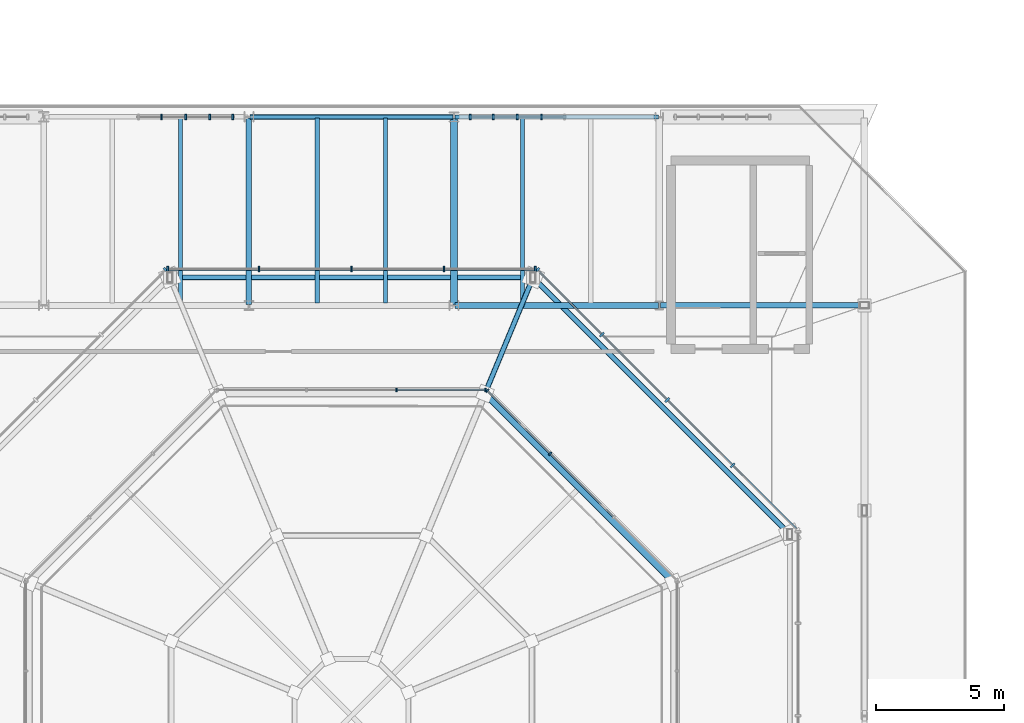
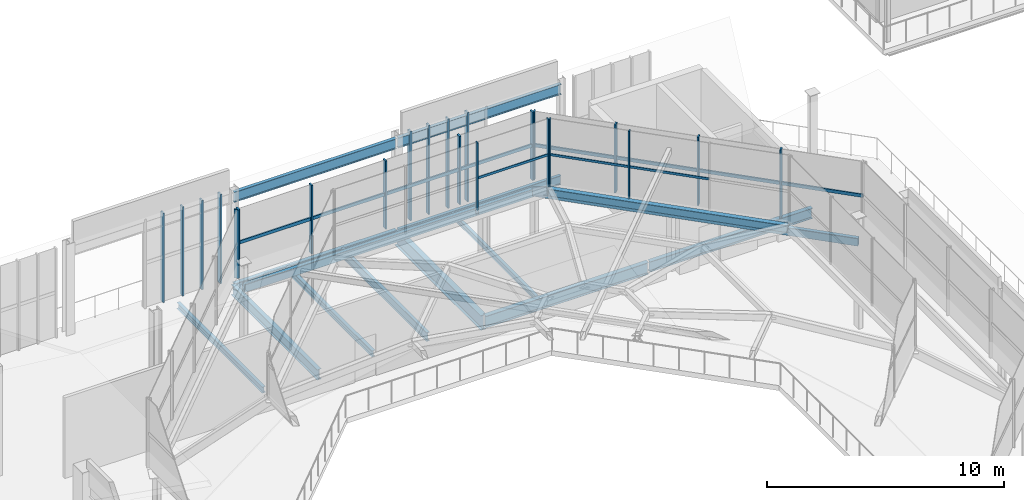
# One storey, part 14 of 30: 33 members, 16 beams, 7 elements without a shape of their own.
"""IFC4 building model written with IfcOpenShell, lengths in metres."""

from ifc_helpers import new_model, si_unit, direction, frame, origin, origin_2d, place, context, subcontext, project, spatial, rectangle, hollow_rectangle, i_section, extrude, material, material_profile, profile_set, type_object, element, aggregate, save


model = new_model("IFC4")

# Units and contexts
model_context = context("Model", 3, precision=1e-05, world=origin(), true_north=direction((0.0, 1.0)))
body_context = subcontext(model_context, "Body", "Model", "MODEL_VIEW")
ifc_project = project(units=[si_unit("LENGTHUNIT", "METRE"), si_unit("AREAUNIT", "SQUARE_METRE"), si_unit("VOLUMEUNIT", "CUBIC_METRE"), si_unit("PLANEANGLEUNIT", "RADIAN"), si_unit("MASSUNIT", "GRAM", prefix="KILO")], contexts=[model_context])

# Site, building, storey
site_placement = place(None, origin())
site = spatial("IfcSite", under=ifc_project, at=site_placement, CompositionType="ELEMENT")
building_placement = place(site_placement, origin())
building = spatial("IfcBuilding", under=site, at=building_placement, Name="Brisemont Oceanarium", CompositionType="ELEMENT")
storey_placement = place(building_placement, frame((0.0, 0.0, 19.800048828125)))
storey = spatial("IfcBuildingStorey", under=building, at=storey_placement, Name="L04", CompositionType="ELEMENT", Elevation=19.800048828125)

# Beams
ifc_material_1 = material(Name="Structural Steel ASTM A500 Gr.C", Category="steel")
ifc_material_profile_1 = material_profile(ifc_material_1, hollow_rectangle(XDim=0.25390625, YDim=0.35595703125, WallThickness=0.01171875, InnerFilletRadius=0.01220703125, OuterFilletRadius=0.02392578125, at=origin_2d()), Name="HSS14X10X1/2")
ifc_profile_set_1 = profile_set([ifc_material_profile_1], Name="Structural Steel ASTM A500 Gr.C")
beam_type_1 = type_object("IfcBeamType", Name="BM-HSS14X10", PredefinedType="BEAM", material=ifc_profile_set_1)
beam_1_placement = place(storey_placement, frame((96.564697265625, 61.20458984375, 7.800048828125), z_axis=(-0.707106781187, 0.707106781187, 0.0), x_axis=(-0.707106781187, -0.707106781187, 0.0)))
element("IfcBeam", 1, at=beam_1_placement, inside=storey, type_object=beam_type_1, Name="V1 dome ring 2 chord 1", PredefinedType="BEAM", context=body_context, shape_type="SweptSolid", body=[
    extrude(hollow_rectangle(XDim=0.25390625, YDim=0.35595703125, WallThickness=0.01171875, InnerFilletRadius=0.01220703125, OuterFilletRadius=0.02392578125, at=origin_2d()), origin(), (0.0, 0.0, 1.0), 10.40869140625),
])
ifc_material_2 = material(Name="Structural Steel ASTM A500 Gr.C", Category="steel")
ifc_material_profile_2 = material_profile(ifc_material_2, hollow_rectangle(XDim=0.202880859375, YDim=0.406005859375, WallThickness=0.01171875, InnerFilletRadius=0.01220703125, OuterFilletRadius=0.02392578125, at=origin_2d()), Name="HSS16X8X1/2")
ifc_profile_set_2 = profile_set([ifc_material_profile_2], Name="Structural Steel ASTM A500 Gr.C")
beam_type_2 = type_object("IfcBeamType", Name="BM-HSS16X8", PredefinedType="BEAM", material=ifc_profile_set_2)
beam_2_placement = place(storey_placement, frame((101.091796875, 63.07958984375, 4.3798828125), z_axis=(-0.707106781187, 0.707106781187, 0.0), x_axis=(-0.707106781187, -0.707106781187, 0.0)))
element("IfcBeam", 2, at=beam_2_placement, inside=storey, type_object=beam_type_2, Name="V1 dome ring 1 chord 1", PredefinedType="BEAM", context=body_context, shape_type="SweptSolid", body=[
    extrude(hollow_rectangle(XDim=0.202880859375, YDim=0.406005859375, WallThickness=0.01171875, InnerFilletRadius=0.01220703125, OuterFilletRadius=0.02392578125, at=origin_2d()), origin(), (0.0, 0.0, 1.0), 14.159423828125),
])
beam_3_placement = place(storey_placement, frame((91.07958984375, 73.091796875, 4.3798828125), z_axis=(-1.0, 0.0, 0.0), x_axis=(0.0, -1.0, 0.0)))
element("IfcBeam", 3, at=beam_3_placement, inside=storey, type_object=beam_type_2, Name="V1 dome ring 1 chord 2", PredefinedType="BEAM", context=body_context, shape_type="SweptSolid", body=[
    extrude(hollow_rectangle(XDim=0.202880859375, YDim=0.406005859375, WallThickness=0.01171875, InnerFilletRadius=0.01220703125, OuterFilletRadius=0.02392578125, at=origin_2d()), origin(), (0.0, 0.0, 1.0), 14.1591796875),
])
beam_4_placement = place(storey_placement, frame((91.07958984375, 73.091796875, 4.3798828125), z_axis=(-0.313776039681, -0.757597539558, 0.572355278632), x_axis=(0.92389295654, -0.382651022285, 0.0)))
element("IfcBeam", 4, at=beam_4_placement, inside=storey, type_object=beam_type_2, Name="V1 dome meridian arch rib 1.2", PredefinedType="BEAM", context=body_context, shape_type="SweptSolid", body=[
    extrude(hollow_rectangle(XDim=0.202880859375, YDim=0.406005859375, WallThickness=0.01171875, InnerFilletRadius=0.01220703125, OuterFilletRadius=0.02392578125, at=origin_2d()), origin(), (0.0, 0.0, 1.0), 5.9755859375),
])
ifc_material_3 = material(Name="Structural Steel ASTM A992 Gr.50", Category="steel")
ifc_material_profile_3 = material_profile(ifc_material_3, i_section(OverallWidth=0.14599609375, OverallDepth=0.259033203125, WebThickness=0.006103515625, FlangeThickness=0.009033203125, FilletRadius=0.008056640625, at=origin_2d()), Name="W10X22")
ifc_profile_set_3 = profile_set([ifc_material_profile_3], Name="Structural Steel ASTM A992 Gr.50")
beam_type_3 = type_object("IfcBeamType", Name="BM-W10X22", PredefinedType="LINTEL", material=ifc_profile_set_3)
beam_5_placement = place(storey_placement, frame((90.666748046875, 72.090087890625, -0.3896484375), z_axis=(0.0, 1.0, 0.0), x_axis=(-1.0, 0.0, 0.0)))
element("IfcBeam", 5, at=beam_5_placement, inside=storey, type_object=beam_type_3, Name="V1 L04 secondary floor beam", PredefinedType="LINTEL", context=body_context, shape_type="SweptSolid", body=[
    extrude(i_section(OverallWidth=0.14599609375, OverallDepth=0.259033203125, WebThickness=0.006103515625, FlangeThickness=0.009033203125, FilletRadius=0.008056640625, at=origin_2d()), origin(), (0.0, 0.0, 1.0), 7.219970703125),
])
ifc_material_4 = material(Name="Structural Steel ASTM A992 Gr.50", Category="steel")
ifc_material_profile_4 = material_profile(ifc_material_4, i_section(OverallWidth=0.1650390625, OverallDepth=0.31005859375, WebThickness=0.005859375, FlangeThickness=0.009765625, FilletRadius=0.008056640625, at=origin_2d()), Name="W12X26")
ifc_profile_set_4 = profile_set([ifc_material_profile_4], Name="Structural Steel ASTM A992 Gr.50")
beam_type_4 = type_object("IfcBeamType", Name="BM-W12X26", PredefinedType="JOIST", material=ifc_profile_set_4)
for number, where, z_axis, x_axis, name in (
    (6, (77.333251953125, 72.090087890625, -0.4150390625), (0.0, 1.0, 0.0), (-1.0, 0.0, 0.0), "V1 L04 secondary floor beam"),
    (7, (82.666748046875, 72.090087890625, -0.4150390625), (0.0, 1.0, 0.0), (-1.0, 0.0, 0.0), "V1 L04 secondary floor beam"),
):
    element("IfcBeam", number, at=place(storey_placement, frame(where, z_axis=z_axis, x_axis=x_axis)), inside=storey, type_object=beam_type_4, Name=name, PredefinedType="JOIST", context=body_context, shape_type="SweptSolid", body=[
        extrude(i_section(OverallWidth=0.1650390625, OverallDepth=0.31005859375, WebThickness=0.005859375, FlangeThickness=0.009765625, FilletRadius=0.008056640625, at=origin_2d()), origin(), (0.0, 0.0, 1.0), 7.219970703125),
    ])
ifc_material_5 = material(Name="Structural Steel ASTM A992 Gr.50", Category="steel")
ifc_material_profile_5 = material_profile(ifc_material_5, i_section(OverallWidth=0.153076171875, OverallDepth=0.455078125, WebThickness=0.008056640625, FlangeThickness=0.01318359375, FilletRadius=0.010986328125, at=origin_2d()), Name="W18X40")
ifc_profile_set_5 = profile_set([ifc_material_profile_5], Name="Structural Steel ASTM A992 Gr.50")
beam_type_5 = type_object("IfcBeamType", Name="BM-W18X40", PredefinedType="JOIST", material=ifc_profile_set_5)
beam_6_placement = place(storey_placement, frame((85.333251953125, 72.090087890625, -0.487548828125), z_axis=(0.0, 1.0, 0.0), x_axis=(-1.0, 0.0, 0.0)))
element("IfcBeam", 8, at=beam_6_placement, inside=storey, type_object=beam_type_5, Name="V1 L04 secondary floor beam", PredefinedType="JOIST", context=body_context, shape_type="SweptSolid", body=[
    extrude(i_section(OverallWidth=0.153076171875, OverallDepth=0.455078125, WebThickness=0.008056640625, FlangeThickness=0.01318359375, FilletRadius=0.010986328125, at=origin_2d()), origin(), (0.0, 0.0, 1.0), 7.219970703125),
])
ifc_material_6 = material(Name="Structural Steel ASTM A992 Gr.50", Category="steel")
ifc_material_profile_6 = material_profile(ifc_material_6, i_section(OverallWidth=0.154052734375, OverallDepth=0.458984375, WebThickness=0.009033203125, FlangeThickness=0.015380859375, FilletRadius=0.010986328125, at=origin_2d()), Name="W18X46")
ifc_profile_set_6 = profile_set([ifc_material_profile_6], Name="Structural Steel ASTM A992 Gr.50")
beam_type_6 = type_object("IfcBeamType", Name="BM-W18X46", PredefinedType="SPANDREL", material=ifc_profile_set_6)
beam_7_placement = place(storey_placement, frame((88.0400390625, 79.35009765625, -0.489501953125), z_axis=(1.0, 0.0, 0.0), x_axis=(0.0, 1.0, 0.0)))
element("IfcBeam", 9, at=beam_7_placement, inside=storey, type_object=beam_type_6, Name="V1 L04 EW girder", PredefinedType="SPANDREL", context=body_context, shape_type="SweptSolid", body=[
    extrude(i_section(OverallWidth=0.154052734375, OverallDepth=0.458984375, WebThickness=0.009033203125, FlangeThickness=0.015380859375, FilletRadius=0.010986328125, at=origin_2d()), origin(), (0.0, 0.0, 1.0), 7.919921875),
])
ifc_material_7 = material(Name="Structural Steel ASTM A992 Gr.50", Category="steel")
ifc_material_profile_7 = material_profile(ifc_material_7, i_section(OverallWidth=0.19091796875, OverallDepth=0.4599609375, WebThickness=0.010009765625, FlangeThickness=0.01611328125, FilletRadius=0.010986328125, at=origin_2d()), Name="W18X55")
ifc_profile_set_7 = profile_set([ifc_material_profile_7], Name="Structural Steel ASTM A992 Gr.50")
beam_type_7 = type_object("IfcBeamType", Name="BM-W18X55", PredefinedType="SPANDREL", material=ifc_profile_set_7)
beam_8_placement = place(storey_placement, frame((80.0400390625, 79.35009765625, -0.489990234375), z_axis=(1.0, 0.0, 0.0), x_axis=(0.0, 1.0, 0.0)))
element("IfcBeam", 10, at=beam_8_placement, inside=storey, type_object=beam_type_7, Name="V1 L04 EW girder", PredefinedType="SPANDREL", context=body_context, shape_type="SweptSolid", body=[
    extrude(i_section(OverallWidth=0.19091796875, OverallDepth=0.4599609375, WebThickness=0.010009765625, FlangeThickness=0.01611328125, FilletRadius=0.010986328125, at=origin_2d()), origin(), (0.0, 0.0, 1.0), 7.919921875),
])
ifc_material_8 = material(Name="Structural Steel ASTM A992 Gr.50", Category="steel")
ifc_material_profile_8 = material_profile(ifc_material_8, i_section(OverallWidth=0.166015625, OverallDepth=0.528076171875, WebThickness=0.009765625, FlangeThickness=0.013671875, FilletRadius=0.012939453125, at=origin_2d()), Name="W21X50")
ifc_profile_set_8 = profile_set([ifc_material_profile_8], Name="Structural Steel ASTM A992 Gr.50")
beam_type_8 = type_object("IfcBeamType", Name="BM-W21X50", PredefinedType="SPANDREL", material=ifc_profile_set_8)
for number, where, z_axis, x_axis, name in (
    (11, (80.0400390625, 79.35009765625, 4.18603515625), (1.0, 0.0, 0.0), (0.0, 1.0, 0.0), "V1 L04 cornice parapet spandrel beam 5"),
    (12, (88.0400390625, 79.35009765625, 4.18603515625), (1.0, 0.0, 0.0), (0.0, 1.0, 0.0), "V1 L04 cornice parapet spandrel beam 6"),
):
    element("IfcBeam", number, at=place(storey_placement, frame(where, z_axis=z_axis, x_axis=x_axis)), inside=storey, type_object=beam_type_8, Name=name, PredefinedType="SPANDREL", context=body_context, shape_type="SweptSolid", body=[
        extrude(i_section(OverallWidth=0.166015625, OverallDepth=0.528076171875, WebThickness=0.009765625, FlangeThickness=0.013671875, FilletRadius=0.012939453125, at=origin_2d()), origin(), (0.0, 0.0, 1.0), 7.919921875),
    ])
ifc_material_9 = material(Name="Structural Steel ASTM A992 Gr.50", Category="steel")
ifc_material_profile_9 = material_profile(ifc_material_9, i_section(OverallWidth=0.2099609375, OverallDepth=0.532958984375, WebThickness=0.01025390625, FlangeThickness=0.015625, FilletRadius=0.012939453125, at=origin_2d()), Name="W21X62")
ifc_profile_set_9 = profile_set([ifc_material_profile_9], Name="Structural Steel ASTM A992 Gr.50")
beam_type_9 = type_object("IfcBeamType", Name="BM-W21X62", PredefinedType="BEAM", material=ifc_profile_set_9)
beam_9_placement = place(storey_placement, frame((96.0400390625, 72.0, -0.526611328125), z_axis=(1.0, 0.0, 0.0), x_axis=(0.0, 1.0, 0.0)))
element("IfcBeam", 13, at=beam_9_placement, inside=storey, type_object=beam_type_9, Name="V1 L04 EW girder", PredefinedType="BEAM", context=body_context, shape_type="SweptSolid", body=[
    extrude(i_section(OverallWidth=0.2099609375, OverallDepth=0.532958984375, WebThickness=0.01025390625, FlangeThickness=0.015625, FilletRadius=0.012939453125, at=origin_2d()), origin(), (0.0, 0.0, 1.0), 7.919921875),
])
beam_10_placement = place(storey_placement, frame((80.0, 72.0400390625, -0.526611328125), z_axis=(0.0, 1.0, 0.0), x_axis=(-1.0, 0.0, 0.0)))
element("IfcBeam", 14, at=beam_10_placement, inside=storey, type_object=beam_type_9, Name="V1 L04 NS girder", PredefinedType="BEAM", context=body_context, shape_type="SweptSolid", body=[
    extrude(i_section(OverallWidth=0.2099609375, OverallDepth=0.532958984375, WebThickness=0.01025390625, FlangeThickness=0.015625, FilletRadius=0.012939453125, at=origin_2d()), origin(), (0.0, 0.0, 1.0), 7.27001953125),
])
ifc_material_10 = material(Name="Structural Steel ASTM A992 Gr.50", Category="steel")
ifc_material_profile_10 = material_profile(ifc_material_10, i_section(OverallWidth=0.22802734375, OverallDepth=0.60205078125, WebThickness=0.010498046875, FlangeThickness=0.014892578125, FilletRadius=0.012939453125, at=origin_2d()), Name="W24X68")
ifc_profile_set_10 = profile_set([ifc_material_profile_10], Name="Structural Steel ASTM A992 Gr.50")
beam_type_10 = type_object("IfcBeamType", Name="BM-W24X68", PredefinedType="BEAM", material=ifc_profile_set_10)
beam_11_placement = place(storey_placement, frame((88.0400390625, 72.0, -0.56103515625), z_axis=(1.0, 0.0, 0.0), x_axis=(0.0, 1.0, 0.0)))
element("IfcBeam", 15, at=beam_11_placement, inside=storey, type_object=beam_type_10, Name="V1 L04 EW girder", PredefinedType="BEAM", context=body_context, shape_type="SweptSolid", body=[
    extrude(i_section(OverallWidth=0.22802734375, OverallDepth=0.60205078125, WebThickness=0.010498046875, FlangeThickness=0.014892578125, FilletRadius=0.012939453125, at=origin_2d()), origin(), (0.0, 0.0, 1.0), 7.919921875),
])
ifc_material_11 = material(Name="Structural Steel ASTM A992 Gr.50", Category="steel")
ifc_material_profile_11 = material_profile(ifc_material_11, i_section(OverallWidth=0.26708984375, OverallDepth=0.761962890625, WebThickness=0.014404296875, FlangeThickness=0.021484375, FilletRadius=0.01611328125, at=origin_2d()), Name="W30X116")
ifc_profile_set_11 = profile_set([ifc_material_profile_11], Name="Structural Steel ASTM A992 Gr.50")
beam_type_11 = type_object("IfcBeamType", Name="BM-W30X116", PredefinedType="BEAM", material=ifc_profile_set_11)
beam_12_placement = place(storey_placement, frame((88.0, 72.0400390625, -0.64111328125), z_axis=(0.0, 1.0, 0.0), x_axis=(-1.0, 0.0, 0.0)))
element("IfcBeam", 16, at=beam_12_placement, inside=storey, type_object=beam_type_11, Name="V1 L04 NS girder", PredefinedType="BEAM", context=body_context, shape_type="SweptSolid", body=[
    extrude(i_section(OverallWidth=0.26708984375, OverallDepth=0.761962890625, WebThickness=0.014404296875, FlangeThickness=0.021484375, FilletRadius=0.01611328125, at=origin_2d()), origin(), (0.0, 0.0, 1.0), 7.27001953125),
])

# Curtain wall, members
ifc_material_12 = material(Name="Anodized Extruded Aluminum 6063-T6", Category="aluminium")
curtain_wall_type_1 = type_object("IfcCurtainWallType", Name="CW-CLR-48X34", PredefinedType="NOTDEFINED", material=ifc_material_12)
curtain_wall_1_placement = place(storey_placement, origin())
curtain_wall_1 = element("IfcCurtainWall", 17, at=curtain_wall_1_placement, inside=storey, type_object=curtain_wall_type_1, Name="CW-22 curtain wall CW-DOME-UP-1", PredefinedType="NOTDEFINED")
ifc_material_13 = material(Name="Anodized Extruded Aluminum 6063-T6", Category="aluminium")
ifc_material_profile_12 = material_profile(ifc_material_13, rectangle(XDim=0.06005859375, YDim=0.14990234375, at=origin_2d()), Name="CWM-60X150")
ifc_profile_set_12 = profile_set([ifc_material_profile_12], Name="Anodized Extruded Aluminum 6063-T6")
member_type_1 = type_object("IfcMemberType", Name="MEM-CWM-60", PredefinedType="MULLION", material=ifc_profile_set_12)
member_1_placement = place(storey_placement, frame((91.742431640625, 66.222900390625, 7.75), z_axis=(0.0, 0.0, 1.0), x_axis=(-0.707106781187, 0.707106781187, 0.0)))
member_1 = element("IfcMember", 18, at=member_1_placement, type_object=member_type_1, Name="CW-DOME-UP-1 mullion 3", PredefinedType="MULLION", context=body_context, shape_type="SweptSolid", body=[
    extrude(rectangle(XDim=0.06005859375, YDim=0.14990234375, at=origin_2d()), origin(), (0.0, 0.0, 1.0), 3.699951171875),
])
member_2_placement = place(storey_placement, frame((89.293701171875, 68.67138671875, 7.75), z_axis=(0.0, 0.0, 1.0), x_axis=(-0.707106781187, 0.707106781187, 0.0)))
member_2 = element("IfcMember", 19, at=member_2_placement, type_object=member_type_1, Name="CW-DOME-UP-1 mullion 4", PredefinedType="MULLION", context=body_context, shape_type="SweptSolid", body=[
    extrude(rectangle(XDim=0.06005859375, YDim=0.14990234375, at=origin_2d()), origin(), (0.0, 0.0, 1.0), 3.699951171875),
])

curtain_wall_2_placement = place(storey_placement, origin())
curtain_wall_2 = element("IfcCurtainWall", 20, at=curtain_wall_2_placement, inside=storey, type_object=curtain_wall_type_1, Name="CW-22 curtain wall CW-DOME-UP-2", PredefinedType="NOTDEFINED")
member_3_placement = place(storey_placement, frame((89.216796875, 68.703369140625, 7.75), z_axis=(0.0, 0.0, 1.0), x_axis=(-1.0, 0.0, 0.0)))
member_3 = element("IfcMember", 21, at=member_3_placement, type_object=member_type_1, Name="CW-DOME-UP-2 mullion 1", PredefinedType="MULLION", context=body_context, shape_type="SweptSolid", body=[
    extrude(rectangle(XDim=0.06005859375, YDim=0.14990234375, at=origin_2d()), origin(), (0.0, 0.0, 1.0), 3.699951171875),
])
member_4_placement = place(storey_placement, frame((85.75390625, 68.703369140625, 7.75), z_axis=(0.0, 0.0, 1.0), x_axis=(-1.0, 0.0, 0.0)))
member_4 = element("IfcMember", 22, at=member_4_placement, type_object=member_type_1, Name="CW-DOME-UP-2 mullion 2", PredefinedType="MULLION", context=body_context, shape_type="SweptSolid", body=[
    extrude(rectangle(XDim=0.06005859375, YDim=0.14990234375, at=origin_2d()), origin(), (0.0, 0.0, 1.0), 3.699951171875),
])

ifc_material_14 = material(Name="Anodized Extruded Aluminum 6063-T6", Category="aluminium")
curtain_wall_type_2 = type_object("IfcCurtainWallType", Name="CW-ROT-69X44", PredefinedType="NOTDEFINED", material=ifc_material_14)
curtain_wall_3_placement = place(storey_placement, origin())
curtain_wall_3 = element("IfcCurtainWall", 23, at=curtain_wall_3_placement, inside=storey, type_object=curtain_wall_type_2, Name="CW-03 curtain wall CW-V1-N-L04-02", PredefinedType="NOTDEFINED")
ifc_material_15 = material(Name="Anodized Extruded Aluminum 6063-T6", Category="aluminium")
ifc_material_profile_13 = material_profile(ifc_material_15, rectangle(XDim=0.074951171875, YDim=0.219970703125, at=origin_2d()), Name="CWM-75X220")
ifc_profile_set_13 = profile_set([ifc_material_profile_13], Name="Anodized Extruded Aluminum 6063-T6")
member_type_2 = type_object("IfcMemberType", Name="MEM-CWM-75", PredefinedType="MULLION", material=ifc_profile_set_13)
member_5_placement = place(storey_placement, frame((76.592529296875, 79.35009765625, 0.0), z_axis=(0.0, 0.0, 1.0), x_axis=(1.0, 0.0, 0.0)))
member_5 = element("IfcMember", 24, at=member_5_placement, type_object=member_type_2, Name="CW-V1-N-L04-02 mullion 2", PredefinedType="MULLION", context=body_context, shape_type="SweptSolid", body=[
    extrude(rectangle(XDim=0.074951171875, YDim=0.219970703125, at=origin_2d()), origin(), (0.0, 0.0, 1.0), 4.599853515625),
])
member_6_placement = place(storey_placement, frame((77.534912109375, 79.35009765625, 0.0), z_axis=(0.0, 0.0, 1.0), x_axis=(1.0, 0.0, 0.0)))
member_6 = element("IfcMember", 25, at=member_6_placement, type_object=member_type_2, Name="CW-V1-N-L04-02 mullion 3", PredefinedType="MULLION", context=body_context, shape_type="SweptSolid", body=[
    extrude(rectangle(XDim=0.074951171875, YDim=0.219970703125, at=origin_2d()), origin(), (0.0, 0.0, 1.0), 4.599853515625),
])
member_7_placement = place(storey_placement, frame((78.4775390625, 79.35009765625, 0.0), z_axis=(0.0, 0.0, 1.0), x_axis=(1.0, 0.0, 0.0)))
member_7 = element("IfcMember", 26, at=member_7_placement, type_object=member_type_2, Name="CW-V1-N-L04-02 mullion 4", PredefinedType="MULLION", context=body_context, shape_type="SweptSolid", body=[
    extrude(rectangle(XDim=0.074951171875, YDim=0.219970703125, at=origin_2d()), origin(), (0.0, 0.0, 1.0), 4.599853515625),
])
member_8_placement = place(storey_placement, frame((79.375, 79.35009765625, 0.0), z_axis=(0.0, 0.0, 1.0), x_axis=(1.0, 0.0, 0.0)))
member_8 = element("IfcMember", 27, at=member_8_placement, type_object=member_type_2, Name="CW-V1-N-L04-02 mullion 5", PredefinedType="MULLION", context=body_context, shape_type="SweptSolid", body=[
    extrude(rectangle(XDim=0.074951171875, YDim=0.219970703125, at=origin_2d()), origin(), (0.0, 0.0, 1.0), 4.599853515625),
])
aggregate(curtain_wall_3, [member_5, member_6, member_7, member_8])

curtain_wall_4_placement = place(storey_placement, origin())
curtain_wall_4 = element("IfcCurtainWall", 28, at=curtain_wall_4_placement, inside=storey, type_object=curtain_wall_type_2, Name="CW-03 curtain wall CW-V1-N-L04-03", PredefinedType="NOTDEFINED")
member_9_placement = place(storey_placement, frame((88.625, 79.35009765625, 0.0), z_axis=(0.0, 0.0, 1.0), x_axis=(1.0, 0.0, 0.0)))
member_9 = element("IfcMember", 29, at=member_9_placement, type_object=member_type_2, Name="CW-V1-N-L04-03 mullion 1", PredefinedType="MULLION", context=body_context, shape_type="SweptSolid", body=[
    extrude(rectangle(XDim=0.074951171875, YDim=0.219970703125, at=origin_2d()), origin(), (0.0, 0.0, 1.0), 4.599853515625),
])
member_10_placement = place(storey_placement, frame((89.5224609375, 79.35009765625, 0.0), z_axis=(0.0, 0.0, 1.0), x_axis=(1.0, 0.0, 0.0)))
member_10 = element("IfcMember", 30, at=member_10_placement, type_object=member_type_2, Name="CW-V1-N-L04-03 mullion 2", PredefinedType="MULLION", context=body_context, shape_type="SweptSolid", body=[
    extrude(rectangle(XDim=0.074951171875, YDim=0.219970703125, at=origin_2d()), origin(), (0.0, 0.0, 1.0), 4.599853515625),
])
member_11_placement = place(storey_placement, frame((90.465087890625, 79.35009765625, 0.0), z_axis=(0.0, 0.0, 1.0), x_axis=(1.0, 0.0, 0.0)))
member_11 = element("IfcMember", 31, at=member_11_placement, type_object=member_type_2, Name="CW-V1-N-L04-03 mullion 3", PredefinedType="MULLION", context=body_context, shape_type="SweptSolid", body=[
    extrude(rectangle(XDim=0.074951171875, YDim=0.219970703125, at=origin_2d()), origin(), (0.0, 0.0, 1.0), 4.599853515625),
])
member_12_placement = place(storey_placement, frame((91.407470703125, 79.35009765625, 0.0), z_axis=(0.0, 0.0, 1.0), x_axis=(1.0, 0.0, 0.0)))
member_12 = element("IfcMember", 32, at=member_12_placement, type_object=member_type_2, Name="CW-V1-N-L04-03 mullion 4", PredefinedType="MULLION", context=body_context, shape_type="SweptSolid", body=[
    extrude(rectangle(XDim=0.074951171875, YDim=0.219970703125, at=origin_2d()), origin(), (0.0, 0.0, 1.0), 4.599853515625),
])
aggregate(curtain_wall_4, [member_9, member_10, member_11, member_12])

curtain_wall_5_placement = place(storey_placement, origin())
curtain_wall_5 = element("IfcCurtainWall", 33, at=curtain_wall_5_placement, inside=storey, type_object=curtain_wall_type_2, Name="CW-03 curtain wall CW-DOME-DRUM-1", PredefinedType="NOTDEFINED")
member_13_placement = place(storey_placement, frame((98.86474609375, 65.763916015625, 4.780029296875), z_axis=(0.0, 0.0, 1.0), x_axis=(-0.707106781187, 0.707106781187, 0.0)))
member_13 = element("IfcMember", 34, at=member_13_placement, type_object=member_type_2, Name="CW-DOME-DRUM-1 mullion 2", PredefinedType="MULLION", context=body_context, shape_type="SweptSolid", body=[
    extrude(rectangle(XDim=0.074951171875, YDim=0.219970703125, at=origin_2d()), origin(), (0.0, 0.0, 1.0), 3.52001953125),
])
member_14_placement = place(storey_placement, frame((96.314208984375, 68.314208984375, 4.780029296875), z_axis=(0.0, 0.0, 1.0), x_axis=(-0.707106781187, 0.707106781187, 0.0)))
member_14 = element("IfcMember", 35, at=member_14_placement, type_object=member_type_2, Name="CW-DOME-DRUM-1 mullion 3", PredefinedType="MULLION", context=body_context, shape_type="SweptSolid", body=[
    extrude(rectangle(XDim=0.074951171875, YDim=0.219970703125, at=origin_2d()), origin(), (0.0, 0.0, 1.0), 3.52001953125),
])
member_15_placement = place(storey_placement, frame((93.763916015625, 70.86474609375, 4.780029296875), z_axis=(0.0, 0.0, 1.0), x_axis=(-0.707106781187, 0.707106781187, 0.0)))
member_15 = element("IfcMember", 36, at=member_15_placement, type_object=member_type_2, Name="CW-DOME-DRUM-1 mullion 4", PredefinedType="MULLION", context=body_context, shape_type="SweptSolid", body=[
    extrude(rectangle(XDim=0.074951171875, YDim=0.219970703125, at=origin_2d()), origin(), (0.0, 0.0, 1.0), 3.52001953125),
])
member_16_placement = place(storey_placement, frame((91.245361328125, 73.38330078125, 4.780029296875), z_axis=(0.0, 0.0, 1.0), x_axis=(-0.707106781187, 0.707106781187, 0.0)))
member_16 = element("IfcMember", 37, at=member_16_placement, type_object=member_type_2, Name="CW-DOME-DRUM-1 mullion 5", PredefinedType="MULLION", context=body_context, shape_type="SweptSolid", body=[
    extrude(rectangle(XDim=0.074951171875, YDim=0.219970703125, at=origin_2d()), origin(), (0.0, 0.0, 1.0), 3.52001953125),
])

curtain_wall_6_placement = place(storey_placement, origin())
curtain_wall_6 = element("IfcCurtainWall", 38, at=curtain_wall_6_placement, inside=storey, type_object=curtain_wall_type_2, Name="CW-03 curtain wall CW-DOME-DRUM-2", PredefinedType="NOTDEFINED")
member_17_placement = place(storey_placement, frame((91.168701171875, 73.4150390625, 4.780029296875), z_axis=(0.0, 0.0, 1.0), x_axis=(-1.0, 0.0, 0.0)))
member_17 = element("IfcMember", 39, at=member_17_placement, type_object=member_type_2, Name="CW-DOME-DRUM-2 mullion 1", PredefinedType="MULLION", context=body_context, shape_type="SweptSolid", body=[
    extrude(rectangle(XDim=0.074951171875, YDim=0.219970703125, at=origin_2d()), origin(), (0.0, 0.0, 1.0), 3.52001953125),
])
member_18_placement = place(storey_placement, frame((87.606689453125, 73.4150390625, 4.780029296875), z_axis=(0.0, 0.0, 1.0), x_axis=(-1.0, 0.0, 0.0)))
member_18 = element("IfcMember", 40, at=member_18_placement, type_object=member_type_2, Name="CW-DOME-DRUM-2 mullion 2", PredefinedType="MULLION", context=body_context, shape_type="SweptSolid", body=[
    extrude(rectangle(XDim=0.074951171875, YDim=0.219970703125, at=origin_2d()), origin(), (0.0, 0.0, 1.0), 3.52001953125),
])
member_19_placement = place(storey_placement, frame((84.0, 73.4150390625, 4.780029296875), z_axis=(0.0, 0.0, 1.0), x_axis=(-1.0, 0.0, 0.0)))
member_19 = element("IfcMember", 41, at=member_19_placement, type_object=member_type_2, Name="CW-DOME-DRUM-2 mullion 3", PredefinedType="MULLION", context=body_context, shape_type="SweptSolid", body=[
    extrude(rectangle(XDim=0.074951171875, YDim=0.219970703125, at=origin_2d()), origin(), (0.0, 0.0, 1.0), 3.52001953125),
])
member_20_placement = place(storey_placement, frame((80.393310546875, 73.4150390625, 4.780029296875), z_axis=(0.0, 0.0, 1.0), x_axis=(-1.0, 0.0, 0.0)))
member_20 = element("IfcMember", 42, at=member_20_placement, type_object=member_type_2, Name="CW-DOME-DRUM-2 mullion 4", PredefinedType="MULLION", context=body_context, shape_type="SweptSolid", body=[
    extrude(rectangle(XDim=0.074951171875, YDim=0.219970703125, at=origin_2d()), origin(), (0.0, 0.0, 1.0), 3.52001953125),
])
member_21_placement = place(storey_placement, frame((76.831298828125, 73.4150390625, 4.780029296875), z_axis=(0.0, 0.0, 1.0), x_axis=(-1.0, 0.0, 0.0)))
member_21 = element("IfcMember", 43, at=member_21_placement, type_object=member_type_2, Name="CW-DOME-DRUM-2 mullion 5", PredefinedType="MULLION", context=body_context, shape_type="SweptSolid", body=[
    extrude(rectangle(XDim=0.074951171875, YDim=0.219970703125, at=origin_2d()), origin(), (0.0, 0.0, 1.0), 3.52001953125),
])

# Curtain wall, member
curtain_wall_7_placement = place(storey_placement, origin())
curtain_wall_7 = element("IfcCurtainWall", 44, at=curtain_wall_7_placement, inside=storey, type_object=curtain_wall_type_2, Name="CW-03 curtain wall CW-DOME-DRUM-3", PredefinedType="NOTDEFINED")
member_22_placement = place(storey_placement, frame((76.754638671875, 73.38330078125, 4.780029296875), z_axis=(0.0, 0.0, 1.0), x_axis=(-0.707106781187, -0.707106781187, 0.0)))
member_22 = element("IfcMember", 45, at=member_22_placement, type_object=member_type_2, Name="CW-DOME-DRUM-3 mullion 1", PredefinedType="MULLION", context=body_context, shape_type="SweptSolid", body=[
    extrude(rectangle(XDim=0.074951171875, YDim=0.219970703125, at=origin_2d()), origin(), (0.0, 0.0, 1.0), 3.52001953125),
])
aggregate(curtain_wall_7, [member_22])

# Member
ifc_material_16 = material(Name="Anodized Extruded Aluminum 6063-T6", Category="aluminium")
ifc_material_profile_14 = material_profile(ifc_material_16, rectangle(XDim=0.06005859375, YDim=0.1201171875, at=origin_2d()), Name="CWT-60X120")
ifc_profile_set_14 = profile_set([ifc_material_profile_14], Name="Anodized Extruded Aluminum 6063-T6")
member_type_3 = type_object("IfcMemberType", Name="MEM-CWT-60", PredefinedType="USERDEFINED", material=ifc_profile_set_14)
member_23_placement = place(storey_placement, frame((94.212158203125, 63.7529296875, 9.599853515625), z_axis=(-0.707106781187, 0.707106781187, 0.0), x_axis=(-0.707106781187, -0.707106781187, 0.0)))
member_23 = element("IfcMember", 46, at=member_23_placement, type_object=member_type_3, Name="CW-DOME-UP-1 transom 2.1", ObjectType="TRANSOM", PredefinedType="USERDEFINED", context=body_context, shape_type="SweptSolid", body=[
    extrude(rectangle(XDim=0.06005859375, YDim=0.1201171875, at=origin_2d()), origin(), (0.0, 0.0, 1.0), 3.477783203125),
])

member_24_placement = place(storey_placement, frame((91.731689453125, 66.2333984375, 9.599853515625), z_axis=(-0.707106781187, 0.707106781187, 0.0), x_axis=(-0.707106781187, -0.707106781187, 0.0)))
member_24 = element("IfcMember", 47, at=member_24_placement, type_object=member_type_3, Name="CW-DOME-UP-1 transom 3.1", ObjectType="TRANSOM", PredefinedType="USERDEFINED", context=body_context, shape_type="SweptSolid", body=[
    extrude(rectangle(XDim=0.06005859375, YDim=0.1201171875, at=origin_2d()), origin(), (0.0, 0.0, 1.0), 3.477783203125),
])

aggregate(curtain_wall_1, [member_1, member_2, member_23, member_24])

member_25_placement = place(storey_placement, frame((89.246826171875, 68.703369140625, 9.599853515625), z_axis=(-1.0, 0.0, 0.0), x_axis=(0.0, -1.0, 0.0)))
member_25 = element("IfcMember", 48, at=member_25_placement, type_object=member_type_3, Name="CW-DOME-UP-2 transom 1.1", ObjectType="TRANSOM", PredefinedType="USERDEFINED", context=body_context, shape_type="SweptSolid", body=[
    extrude(rectangle(XDim=0.06005859375, YDim=0.1201171875, at=origin_2d()), origin(), (0.0, 0.0, 1.0), 3.477783203125),
])

aggregate(curtain_wall_2, [member_3, member_4, member_25])

ifc_material_17 = material(Name="Anodized Extruded Aluminum 6063-T6", Category="aluminium")
ifc_material_profile_15 = material_profile(ifc_material_17, rectangle(XDim=0.074951171875, YDim=0.1650390625, at=origin_2d()), Name="CWT-75X165")
ifc_profile_set_15 = profile_set([ifc_material_profile_15], Name="Anodized Extruded Aluminum 6063-T6")
member_type_4 = type_object("IfcMemberType", Name="MEM-CWT-75", PredefinedType="USERDEFINED", material=ifc_profile_set_15)
member_26_placement = place(storey_placement, frame((101.404541015625, 63.22412109375, 6.5400390625), z_axis=(-0.707106781187, 0.707106781187, 0.0), x_axis=(-0.707106781187, -0.707106781187, 0.0)))
member_26 = element("IfcMember", 49, at=member_26_placement, type_object=member_type_4, Name="CW-DOME-DRUM-1 transom 1.1", ObjectType="TRANSOM", PredefinedType="USERDEFINED", context=body_context, shape_type="SweptSolid", body=[
    extrude(rectangle(XDim=0.074951171875, YDim=0.1650390625, at=origin_2d()), origin(), (0.0, 0.0, 1.0), 3.576904296875),
])

member_27_placement = place(storey_placement, frame((98.85400390625, 65.774658203125, 6.5400390625), z_axis=(-0.707106781187, 0.707106781187, 0.0), x_axis=(-0.707106781187, -0.707106781187, 0.0)))
member_27 = element("IfcMember", 50, at=member_27_placement, type_object=member_type_4, Name="CW-DOME-DRUM-1 transom 2.1", ObjectType="TRANSOM", PredefinedType="USERDEFINED", context=body_context, shape_type="SweptSolid", body=[
    extrude(rectangle(XDim=0.074951171875, YDim=0.1650390625, at=origin_2d()), origin(), (0.0, 0.0, 1.0), 3.57666015625),
])

member_28_placement = place(storey_placement, frame((96.3037109375, 68.324951171875, 6.5400390625), z_axis=(-0.707106781187, 0.707106781187, 0.0), x_axis=(-0.707106781187, -0.707106781187, 0.0)))
member_28 = element("IfcMember", 51, at=member_28_placement, type_object=member_type_4, Name="CW-DOME-DRUM-1 transom 3.1", ObjectType="TRANSOM", PredefinedType="USERDEFINED", context=body_context, shape_type="SweptSolid", body=[
    extrude(rectangle(XDim=0.074951171875, YDim=0.1650390625, at=origin_2d()), origin(), (0.0, 0.0, 1.0), 3.57666015625),
])

member_29_placement = place(storey_placement, frame((93.75341796875, 70.875244140625, 6.5400390625), z_axis=(-0.707106781187, 0.707106781187, 0.0), x_axis=(-0.707106781187, -0.707106781187, 0.0)))
member_29 = element("IfcMember", 52, at=member_29_placement, type_object=member_type_4, Name="CW-DOME-DRUM-1 transom 4.1", ObjectType="TRANSOM", PredefinedType="USERDEFINED", context=body_context, shape_type="SweptSolid", body=[
    extrude(rectangle(XDim=0.074951171875, YDim=0.1650390625, at=origin_2d()), origin(), (0.0, 0.0, 1.0), 3.576904296875),
])

aggregate(curtain_wall_5, [member_13, member_14, member_15, member_16, member_26, member_27, member_28, member_29])

member_30_placement = place(storey_placement, frame((91.198486328125, 73.4150390625, 6.5400390625), z_axis=(-1.0, 0.0, 0.0), x_axis=(0.0, -1.0, 0.0)))
member_30 = element("IfcMember", 53, at=member_30_placement, type_object=member_type_4, Name="CW-DOME-DRUM-2 transom 1.1", ObjectType="TRANSOM", PredefinedType="USERDEFINED", context=body_context, shape_type="SweptSolid", body=[
    extrude(rectangle(XDim=0.074951171875, YDim=0.1650390625, at=origin_2d()), origin(), (0.0, 0.0, 1.0), 3.57666015625),
])

member_31_placement = place(storey_placement, frame((87.591796875, 73.4150390625, 6.5400390625), z_axis=(-1.0, 0.0, 0.0), x_axis=(0.0, -1.0, 0.0)))
member_31 = element("IfcMember", 54, at=member_31_placement, type_object=member_type_4, Name="CW-DOME-DRUM-2 transom 2.1", ObjectType="TRANSOM", PredefinedType="USERDEFINED", context=body_context, shape_type="SweptSolid", body=[
    extrude(rectangle(XDim=0.074951171875, YDim=0.1650390625, at=origin_2d()), origin(), (0.0, 0.0, 1.0), 3.576904296875),
])

member_32_placement = place(storey_placement, frame((83.985107421875, 73.4150390625, 6.5400390625), z_axis=(-1.0, 0.0, 0.0), x_axis=(0.0, -1.0, 0.0)))
member_32 = element("IfcMember", 55, at=member_32_placement, type_object=member_type_4, Name="CW-DOME-DRUM-2 transom 3.1", ObjectType="TRANSOM", PredefinedType="USERDEFINED", context=body_context, shape_type="SweptSolid", body=[
    extrude(rectangle(XDim=0.074951171875, YDim=0.1650390625, at=origin_2d()), origin(), (0.0, 0.0, 1.0), 3.576904296875),
])

member_33_placement = place(storey_placement, frame((80.378173828125, 73.4150390625, 6.5400390625), z_axis=(-1.0, 0.0, 0.0), x_axis=(0.0, -1.0, 0.0)))
member_33 = element("IfcMember", 56, at=member_33_placement, type_object=member_type_4, Name="CW-DOME-DRUM-2 transom 4.1", ObjectType="TRANSOM", PredefinedType="USERDEFINED", context=body_context, shape_type="SweptSolid", body=[
    extrude(rectangle(XDim=0.074951171875, YDim=0.1650390625, at=origin_2d()), origin(), (0.0, 0.0, 1.0), 3.57666015625),
])

aggregate(curtain_wall_6, [member_17, member_18, member_19, member_20, member_21, member_30, member_31, member_32, member_33])

save(model, "model.ifc")
